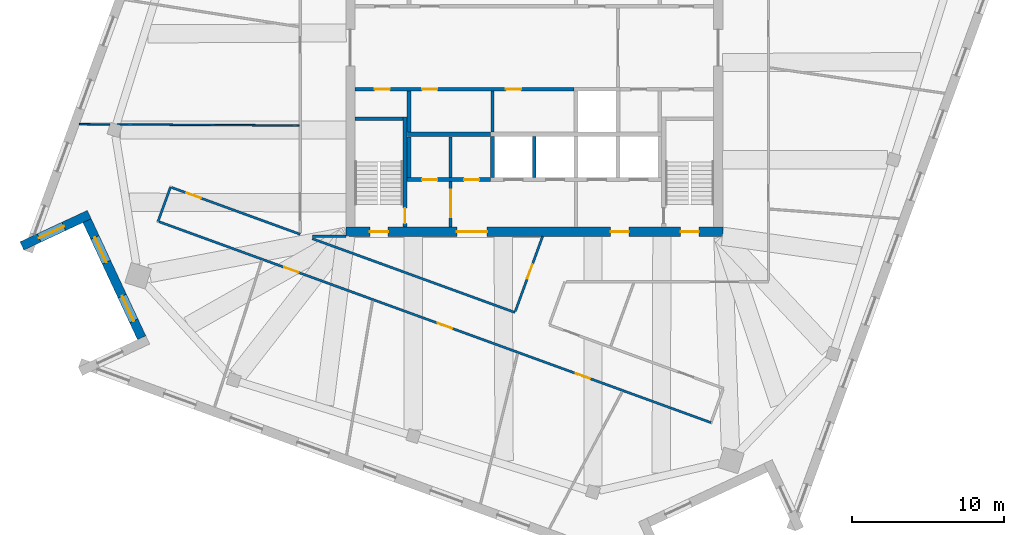
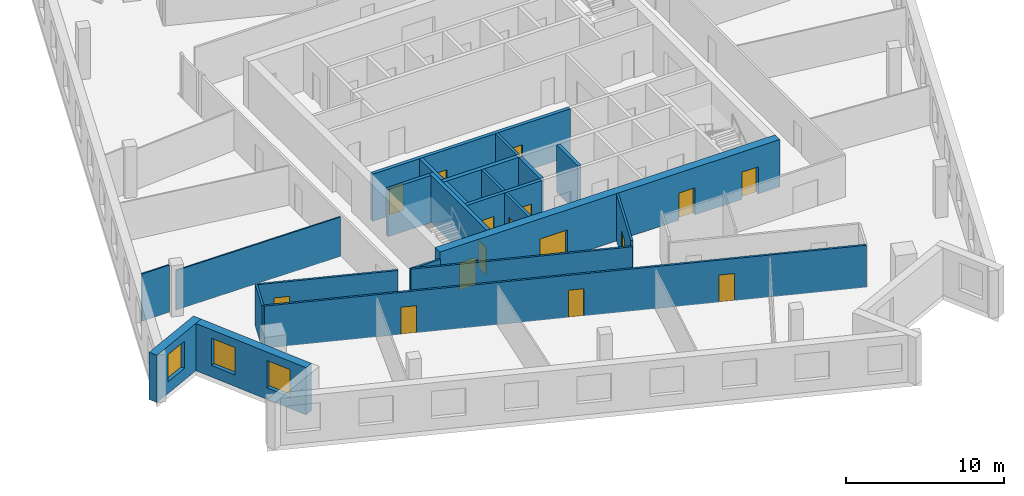
# One storey, part 6 of 13: 23 walls, 16 doors, 3 windows, 19 openings.
"""IFC4 building model written with IfcOpenShell, lengths in metres."""

import ifcopenshell
import ifcopenshell.guid

model = None  # the IFC model being written
_history = None  # IfcOwnerHistory: only IFC2X3 demands one
_inside = {}  # id of a spatial element -> (the spatial element, [elements in it])
_under = {}  # id of a project, library or spatial element -> (it, [spatial elements below it])
_declared = {}  # id of a project -> (the project, [libraries it declares])
_typed = {}  # id of a type object -> (the type object, [elements of that type])
_made_of = {}  # id of a material, layer set ... -> (it, [elements and type objects made of it])


def new_model(schema):
    """Start an empty IFC model of exactly this schema.

    Asked for "IFC4X3", IfcOpenShell would pick the latest addendum, in which some entities
    have other attributes; the version numbers below select the first issue.
    IFC2X3 requires an IfcOwnerHistory on every rooted entity: one is made here for all.
    """
    global model, _history
    if schema == "IFC4X3":
        model = ifcopenshell.file(schema_version=(4, 3, 0, 0))
    else:
        model = ifcopenshell.file(schema=schema)
    _inside.clear()
    _under.clear()
    _declared.clear()
    _typed.clear()
    _made_of.clear()
    _history = None
    if model.schema == "IFC2X3":
        org = make("IfcOrganization", Name="unknown")
        user = make(
            "IfcPersonAndOrganization",
            ThePerson=make("IfcPerson", FamilyName="unknown"),
            TheOrganization=org,
        )
        app = make(
            "IfcApplication",
            ApplicationDeveloper=org,
            Version="unknown",
            ApplicationFullName="unknown",
            ApplicationIdentifier="unknown",
        )
        _history = make(
            "IfcOwnerHistory",
            OwningUser=user,
            OwningApplication=app,
            ChangeAction="ADDED",
            CreationDate=0,
        )
    return model


def make(cls, **values):
    """One entity of the class cls with the attributes given. An attribute that is None is left unset."""
    return model.create_entity(
        cls, **{name: value for name, value in values.items() if value is not None}
    )


def rooted(cls, **values):
    """An entity with a GlobalId (a new one), such as an element, a storey or a relation."""
    return make(cls, GlobalId=ifcopenshell.guid.new(), OwnerHistory=_history, **values)


def si_unit(unit_type, name, prefix=None):
    """IfcSIUnit, for example si_unit("LENGTHUNIT", "METRE", prefix="MILLI")."""
    return make("IfcSIUnit", UnitType=unit_type, Prefix=prefix, Name=name)


def assignment(units):
    """IfcUnitAssignment: the units of a project."""
    return None if units is None else make("IfcUnitAssignment", Units=units)


def point(xyz):
    """IfcCartesianPoint."""
    return None if xyz is None else make("IfcCartesianPoint", Coordinates=xyz)


def direction(xyz):
    """IfcDirection."""
    return None if xyz is None else make("IfcDirection", DirectionRatios=xyz)


def frame(location, z_axis=None, x_axis=None):
    """IfcAxis2Placement3D, a coordinate frame: its origin and axes. An axis left out is left unset."""
    return make(
        "IfcAxis2Placement3D",
        Location=point(location),
        Axis=direction(z_axis),
        RefDirection=direction(x_axis),
    )


def frame_2d(location, x_axis=None):
    """IfcAxis2Placement2D, a coordinate frame in the plane: its origin and x axis."""
    return make(
        "IfcAxis2Placement2D", Location=point(location), RefDirection=direction(x_axis)
    )


def origin():
    """The frame at (0, 0, 0) with its axes left unset."""
    return frame((0.0, 0.0, 0.0))


def place(relative_to, where):
    """IfcLocalPlacement: puts the frame where relative to a parent placement (None: the world)."""
    return make(
        "IfcLocalPlacement", PlacementRelTo=relative_to, RelativePlacement=where
    )


def context(
    kind, dimensions, precision=None, world=None, true_north=None, identifier=None
):
    """IfcGeometricRepresentationContext, for example the 3D "Model" context."""
    return make(
        "IfcGeometricRepresentationContext",
        ContextIdentifier=identifier,
        ContextType=kind,
        CoordinateSpaceDimension=dimensions,
        Precision=precision,
        WorldCoordinateSystem=world,
        TrueNorth=true_north,
    )


def subcontext(parent, identifier, kind, view, scale=None):
    """IfcGeometricRepresentationSubContext, for example "Body" below "Model"."""
    return make(
        "IfcGeometricRepresentationSubContext",
        ContextIdentifier=identifier,
        ContextType=kind,
        ParentContext=parent,
        TargetScale=scale,
        TargetView=view,
    )


def project(units=None, contexts=None):
    """IfcProject with its units and contexts."""
    return rooted(
        "IfcProject",
        Name="project",
        RepresentationContexts=contexts,
        UnitsInContext=assignment(units),
    )


def spatial(cls, under=None, at=None, **own):
    """A site, building, storey or space (cls), placed at a placement, below another one or the project."""
    s = rooted(cls, ObjectPlacement=at, **own)
    if under is not None:
        _under.setdefault(under.id(), (under, []))[1].append(s)
    return s


def profile(cls, at=None, kind="AREA", **sizes):
    """A parametric profile (cls). Its sizes go by their IFC names, for example OverallWidth=200.0."""
    return make(cls, ProfileType=kind, Position=at, **sizes)


def rectangle(**sizes):
    """IfcRectangleProfileDef."""
    return profile("IfcRectangleProfileDef", **sizes)


def extrude(swept, where, along, depth):
    """IfcExtrudedAreaSolid: the profile swept, set in the frame where, extruded along a direction by depth."""
    return make(
        "IfcExtrudedAreaSolid",
        SweptArea=swept,
        Position=where,
        ExtrudedDirection=direction(along),
        Depth=depth,
    )


def shape(context_of_items, identifier, shape_type, items):
    """IfcShapeRepresentation: the items that make up one representation, for example the "Body"."""
    return make(
        "IfcShapeRepresentation",
        ContextOfItems=context_of_items,
        RepresentationIdentifier=identifier,
        RepresentationType=shape_type,
        Items=items,
    )


def material(Name=None, Category=None):
    """IfcMaterial."""
    return make("IfcMaterial", Name=Name, Category=Category)


def layer(
    of_material, thickness, ventilated=None, Name=None, Category=None, Priority=None
):
    """IfcMaterialLayer: one layer of a wall or slab, of a material (None: an air gap)."""
    return make(
        "IfcMaterialLayer",
        Material=of_material,
        LayerThickness=thickness,
        IsVentilated=ventilated,
        Name=Name,
        Category=Category,
        Priority=Priority,
    )


def layer_set(layers, Name=None):
    """IfcMaterialLayerSet."""
    return make("IfcMaterialLayerSet", MaterialLayers=layers, LayerSetName=Name)


def made_of(thing, what):
    """Note that an element or type object is made of a material, layer set ...; save() writes the relation."""
    if what is not None:
        _made_of.setdefault(what.id(), (what, []))[1].append(thing)
    return thing


def type_object(cls, material=None, **own):
    """A type object (cls), such as IfcWallType, which elements share."""
    return made_of(rooted(cls, **own), material)


def element(
    cls,
    number,
    at=None,
    inside=None,
    cuts=None,
    type_object=None,
    material=None,
    context=None,
    identifier="Body",
    shape_type=None,
    held_by="IfcProductDefinitionShape",
    body=None,
    shapes=None,
    **own,
):
    """One element of the class cls, such as IfcWall. Its Tag is "e" and its number.

    at: its placement. inside: the storey or other place that contains it. cuts: it is an
    opening in that element (IfcRelVoidsElement). A single representation is given by context,
    identifier, shape_type and body (its items); several are given by shapes. held_by: the class
    of the entity that holds the representations. save() writes the other relations.
    """
    e = rooted(cls, Tag="e%d" % number, ObjectPlacement=at, **own)
    if body is not None:
        shapes = [shape(context, identifier, shape_type, body)]
    if shapes is not None:
        e.Representation = make(held_by, Representations=shapes)
    if inside is not None:
        _inside.setdefault(inside.id(), (inside, []))[1].append(e)
    if cuts is not None:
        rooted(
            "IfcRelVoidsElement", RelatingBuildingElement=cuts, RelatedOpeningElement=e
        )
    if type_object is not None:
        _typed.setdefault(type_object.id(), (type_object, []))[1].append(e)
    return made_of(e, material)


def fill(opening, filler):
    """IfcRelFillsElement: the door or window that sits in an opening."""
    return rooted(
        "IfcRelFillsElement",
        RelatingOpeningElement=opening,
        RelatedBuildingElement=filler,
    )


def aggregate(whole, parts):
    """IfcRelAggregates: a whole, such as a stair, and the parts it consists of."""
    return rooted("IfcRelAggregates", RelatingObject=whole, RelatedObjects=parts)


def save(model, path):
    """Write the relations noted so far, then the file.

    IfcRelAggregates (storeys below a building ...), IfcRelContainedInSpatialStructure (elements
    in a storey), IfcRelDefinesByType, IfcRelAssociatesMaterial and IfcRelDeclares: one each for
    every whole, place, type object, material and project.
    """
    for whole, parts in _under.values():
        aggregate(whole, parts)
    for where, things in _inside.values():
        rooted(
            "IfcRelContainedInSpatialStructure",
            RelatedElements=things,
            RelatingStructure=where,
        )
    for kind, things in _typed.values():
        rooted("IfcRelDefinesByType", RelatedObjects=things, RelatingType=kind)
    for what, things in _made_of.values():
        rooted("IfcRelAssociatesMaterial", RelatedObjects=things, RelatingMaterial=what)
    for by, libraries in _declared.values():
        rooted("IfcRelDeclares", RelatingContext=by, RelatedDefinitions=libraries)
    model.write(path)


model = new_model("IFC4")

# Units and contexts
model_context = context("Model", 3, precision=1e-05, world=origin(), true_north=direction((0.0, 1.0)))
body_context = subcontext(model_context, "Body", "Model", "MODEL_VIEW")
ifc_project = project(units=[si_unit("LENGTHUNIT", "METRE"), si_unit("AREAUNIT", "SQUARE_METRE"), si_unit("VOLUMEUNIT", "CUBIC_METRE"), si_unit("PLANEANGLEUNIT", "RADIAN"), si_unit("MASSUNIT", "GRAM", prefix="KILO")], contexts=[model_context])

# Site, building, storey
site_placement = place(None, origin())
site = spatial("IfcSite", under=ifc_project, at=site_placement, CompositionType="ELEMENT")
building_placement = place(site_placement, origin())
building = spatial("IfcBuilding", under=site, at=building_placement, Name="Dilmun Exchange Tower", CompositionType="ELEMENT")
storey_placement = place(building_placement, frame((0.0, 0.0, 308.5)))
storey = spatial("IfcBuildingStorey", under=building, at=storey_placement, Name="L73", CompositionType="ELEMENT", Elevation=308.5)

# Wall, opening, door
ifc_material_1 = material(Name="Concrete C40/50", Category="concrete")
ifc_layer_1 = layer(ifc_material_1, 0.199951171875)
ifc_layer_set_1 = layer_set([ifc_layer_1], Name="Concrete C40/50")
wall_type_1 = type_object("IfcWallType", Name="Core partition wall 200", PredefinedType="PARTITIONING", material=ifc_layer_set_1)
wall_1_placement = place(storey_placement, frame((-5.5, -11.794921875, 0.0), z_axis=(0.0, 0.0, 1.0), x_axis=(0.0, 1.0, 0.0)))
wall_1 = element("IfcWall", 1, at=wall_1_placement, inside=storey, type_object=wall_type_1, Name="L73 core partition wall 01", PredefinedType="PARTITIONING", context=body_context, shape_type="SweptSolid", body=[
    extrude(rectangle(XDim=2.989990234375, YDim=0.199951171875, at=frame_2d((1.4951171875, 0.0))), origin(), (0.0, 0.0, 1.0), 3.64990234375),
])
opening_1_placement = place(wall_1_placement, frame((0.657470703125, 0.0, 0.0)))
opening_1 = element("IfcOpeningElement", 2, at=opening_1_placement, cuts=wall_1, Name="Opening CD5", PredefinedType="OPENING", context=body_context, shape_type="SweptSolid", body=[
    extrude(rectangle(XDim=1.800048828125, YDim=2.10009765625, at=frame_2d((0.89990234375, 1.050048828125))), frame((0.0, 0.10986328125, 0.0), z_axis=(0.0, -1.0, 0.0), x_axis=(1.0, 0.0, 0.0)), (0.0, 0.0, 1.0), 0.219970703125),
])
ifc_material_2 = material(Name="Fire-rated steel door set", Category="steel")
door_type_1 = type_object("IfcDoorType", Name="Stair exit door 1800x2100", OperationType="SINGLE_SWING_LEFT", PredefinedType="DOOR", material=ifc_material_2)
door_1_placement = place(opening_1_placement, origin())
door_1 = element("IfcDoor", 3, at=door_1_placement, inside=storey, type_object=door_type_1, Name="L73 door Service lobby east", OperationType="SINGLE_SWING_LEFT", OverallHeight=2.10009765625, OverallWidth=1.800048828125, PredefinedType="DOOR", context=body_context, shape_type="SweptSolid", body=[
    extrude(rectangle(XDim=1.800048828125, YDim=2.10009765625, at=frame_2d((0.89990234375, 1.050048828125))), frame((0.0, 0.02490234375, 0.0), z_axis=(0.0, -1.0, 0.0), x_axis=(1.0, 0.0, 0.0)), (0.0, 0.0, 1.0), 0.050048828125),
])
fill(opening_1, door_1)

# Walls
for number, where, z_axis, x_axis, name in (
    (4, (-5.5, -8.544921875, 0.0), (0.0, 0.0, 1.0), (0.0, 1.0, 0.0), "L73 core partition wall 05"),
    (5, (-2.75, -5.544921875, 0.0), (0.0, 0.0, 1.0), (0.0, 1.0, 0.0), "L73 core partition wall 08"),
):
    element("IfcWall", number, at=place(storey_placement, frame(where, z_axis=z_axis, x_axis=x_axis)), inside=storey, type_object=wall_type_1, Name=name, PredefinedType="PARTITIONING", context=body_context, shape_type="SweptSolid", body=[
        extrude(rectangle(XDim=2.68994140625, YDim=0.199951171875, at=frame_2d((1.344970703125, 0.0))), origin(), (0.0, 0.0, 1.0), 3.64990234375),
    ])

# Wall, openings, doors
ifc_layer_2 = layer(ifc_material_1, 0.25)
ifc_layer_set_2 = layer_set([ifc_layer_2], Name="Concrete C40/50")
wall_type_2 = type_object("IfcWallType", Name="Core partition wall 250", PredefinedType="PARTITIONING", material=ifc_layer_set_2)
wall_2_placement = place(storey_placement, frame((-8.3701171875, -8.675048828125, 0.0), z_axis=(0.0, 0.0, 1.0), x_axis=(1.0, 0.0, 0.0)))
wall_2 = element("IfcWall", 6, at=wall_2_placement, inside=storey, type_object=wall_type_2, Name="L73 core partition wall 03", PredefinedType="PARTITIONING", context=body_context, shape_type="SweptSolid", body=[
    extrude(rectangle(XDim=5.490234375, YDim=0.25, at=frame_2d((2.7451171875, 0.0))), origin(), (0.0, 0.0, 1.0), 3.64990234375),
])
opening_2_placement = place(wall_2_placement, frame((0.9951171875, 0.0, 0.0)))
opening_2 = element("IfcOpeningElement", 7, at=opening_2_placement, cuts=wall_2, Name="Opening CD4", PredefinedType="OPENING", context=body_context, shape_type="SweptSolid", body=[
    extrude(rectangle(XDim=1.0, YDim=2.10009765625, at=frame_2d((0.5, 1.050048828125))), frame((0.0, 0.135009765625, 0.0), z_axis=(0.0, -1.0, 0.0), x_axis=(1.0, 0.0, 0.0)), (0.0, 0.0, 1.0), 0.27001953125),
])
opening_3_placement = place(wall_2_placement, frame((3.7451171875, 0.0, 0.0)))
opening_3 = element("IfcOpeningElement", 8, at=opening_3_placement, cuts=wall_2, Name="Opening CD4", PredefinedType="OPENING", context=body_context, shape_type="SweptSolid", body=[
    extrude(rectangle(XDim=1.0, YDim=2.10009765625, at=frame_2d((0.5, 1.050048828125))), frame((0.0, 0.135009765625, 0.0), z_axis=(0.0, -1.0, 0.0), x_axis=(1.0, 0.0, 0.0)), (0.0, 0.0, 1.0), 0.27001953125),
])
door_type_2 = type_object("IfcDoorType", Name="Core room door 1000x2100", OperationType="SINGLE_SWING_LEFT", PredefinedType="DOOR", material=ifc_material_2)
door_2_placement = place(opening_2_placement, origin())
door_2 = element("IfcDoor", 9, at=door_2_placement, inside=storey, type_object=door_type_2, Name="L73 door Male WC", OperationType="SINGLE_SWING_RIGHT", OverallHeight=2.10009765625, OverallWidth=1.0, PredefinedType="DOOR", context=body_context, shape_type="SweptSolid", body=[
    extrude(rectangle(XDim=1.0, YDim=2.10009765625, at=frame_2d((0.5, 1.050048828125))), frame((0.0, 0.02490234375, 0.0), z_axis=(0.0, -1.0, 0.0), x_axis=(1.0, 0.0, 0.0)), (0.0, 0.0, 1.0), 0.050048828125),
])
fill(opening_2, door_2)
door_3_placement = place(opening_3_placement, origin())
door_3 = element("IfcDoor", 10, at=door_3_placement, inside=storey, type_object=door_type_2, Name="L73 door Female WC", OperationType="SINGLE_SWING_RIGHT", OverallHeight=2.10009765625, OverallWidth=1.0, PredefinedType="DOOR", context=body_context, shape_type="SweptSolid", body=[
    extrude(rectangle(XDim=1.0, YDim=2.10009765625, at=frame_2d((0.5, 1.050048828125))), frame((0.0, 0.02490234375, 0.0), z_axis=(0.0, -1.0, 0.0), x_axis=(1.0, 0.0, 0.0)), (0.0, 0.0, 1.0), 0.050048828125),
])
fill(opening_3, door_3)

# Walls
for number, where, z_axis, x_axis, name in (
    (11, (-8.25, -8.544921875, 0.0), (0.0, 0.0, 1.0), (0.0, 1.0, 0.0), "L73 core partition wall 04"),
    (12, (-8.25, -5.544921875, 0.0), (0.0, 0.0, 1.0), (0.0, 1.0, 0.0), "L73 core partition wall 07"),
):
    element("IfcWall", number, at=place(storey_placement, frame(where, z_axis=z_axis, x_axis=x_axis)), inside=storey, type_object=wall_type_2, Name=name, PredefinedType="PARTITIONING", context=body_context, shape_type="SweptSolid", body=[
        extrude(rectangle(XDim=2.68994140625, YDim=0.25, at=frame_2d((1.344970703125, 0.0))), origin(), (0.0, 0.0, 1.0), 3.64990234375),
    ])

# Wall, openings, doors
wall_3_placement = place(storey_placement, frame((-11.794921875, -2.72509765625, 0.0), z_axis=(0.0, 0.0, 1.0), x_axis=(1.0, 0.0, 0.0)))
wall_3 = element("IfcWall", 13, at=wall_3_placement, inside=storey, type_object=wall_type_2, Name="L73 core partition wall 10", PredefinedType="PARTITIONING", context=body_context, shape_type="SweptSolid", body=[
    extrude(rectangle(XDim=14.4150390625, YDim=0.25, at=frame_2d((7.20751953125, 0.0))), origin(), (0.0, 0.0, 1.0), 3.64990234375),
])
opening_4_placement = place(wall_3_placement, frame((1.294921875, 0.0, 0.0)))
opening_4 = element("IfcOpeningElement", 14, at=opening_4_placement, cuts=wall_3, Name="Opening CD4", PredefinedType="OPENING", context=body_context, shape_type="SweptSolid", body=[
    extrude(rectangle(XDim=1.0, YDim=2.10009765625, at=frame_2d((0.5, 1.050048828125))), frame((0.0, 0.135009765625, 0.0), z_axis=(0.0, -1.0, 0.0), x_axis=(1.0, 0.0, 0.0)), (0.0, 0.0, 1.0), 0.27001953125),
])
opening_5_placement = place(wall_3_placement, frame((4.419921875, 0.0, 0.0)))
opening_5 = element("IfcOpeningElement", 15, at=opening_5_placement, cuts=wall_3, Name="Opening CD4", PredefinedType="OPENING", context=body_context, shape_type="SweptSolid", body=[
    extrude(rectangle(XDim=1.0, YDim=2.10009765625, at=frame_2d((0.5, 1.050048828125))), frame((0.0, 0.135009765625, 0.0), z_axis=(0.0, -1.0, 0.0), x_axis=(1.0, 0.0, 0.0)), (0.0, 0.0, 1.0), 0.27001953125),
])
opening_6_placement = place(wall_3_placement, frame((9.919921875, 0.0, 0.0)))
opening_6 = element("IfcOpeningElement", 16, at=opening_6_placement, cuts=wall_3, Name="Opening CD4", PredefinedType="OPENING", context=body_context, shape_type="SweptSolid", body=[
    extrude(rectangle(XDim=1.0, YDim=2.10009765625, at=frame_2d((0.5, 1.050048828125))), frame((0.0, 0.135009765625, 0.0), z_axis=(0.0, -1.0, 0.0), x_axis=(1.0, 0.0, 0.0)), (0.0, 0.0, 1.0), 0.27001953125),
])
door_4_placement = place(opening_4_placement, origin())
door_4 = element("IfcDoor", 17, at=door_4_placement, inside=storey, type_object=door_type_2, Name="L73 door Accessible WC", OperationType="SINGLE_SWING_RIGHT", OverallHeight=2.10009765625, OverallWidth=1.0, PredefinedType="DOOR", context=body_context, shape_type="SweptSolid", body=[
    extrude(rectangle(XDim=1.0, YDim=2.10009765625, at=frame_2d((0.5, 1.050048828125))), frame((0.0, 0.02490234375, 0.0), z_axis=(0.0, -1.0, 0.0), x_axis=(1.0, 0.0, 0.0)), (0.0, 0.0, 1.0), 0.050048828125),
])
fill(opening_4, door_4)
door_5_placement = place(opening_5_placement, origin())
door_5 = element("IfcDoor", 18, at=door_5_placement, inside=storey, type_object=door_type_2, Name="L73 door Tenant services room", OperationType="SINGLE_SWING_RIGHT", OverallHeight=2.10009765625, OverallWidth=1.0, PredefinedType="DOOR", context=body_context, shape_type="SweptSolid", body=[
    extrude(rectangle(XDim=1.0, YDim=2.10009765625, at=frame_2d((0.5, 1.050048828125))), frame((0.0, 0.02490234375, 0.0), z_axis=(0.0, -1.0, 0.0), x_axis=(1.0, 0.0, 0.0)), (0.0, 0.0, 1.0), 0.050048828125),
])
fill(opening_5, door_5)
door_6_placement = place(opening_6_placement, origin())
door_6 = element("IfcDoor", 19, at=door_6_placement, inside=storey, type_object=door_type_2, Name="L73 door Archive store", OperationType="SINGLE_SWING_RIGHT", OverallHeight=2.10009765625, OverallWidth=1.0, PredefinedType="DOOR", context=body_context, shape_type="SweptSolid", body=[
    extrude(rectangle(XDim=1.0, YDim=2.10009765625, at=frame_2d((0.5, 1.050048828125))), frame((0.0, 0.02490234375, 0.0), z_axis=(0.0, -1.0, 0.0), x_axis=(1.0, 0.0, 0.0)), (0.0, 0.0, 1.0), 0.050048828125),
])
fill(opening_6, door_6)

# Wall
ifc_layer_3 = layer(ifc_material_1, 0.300048828125)
ifc_layer_set_3 = layer_set([ifc_layer_3], Name="Concrete C40/50")
wall_type_3 = type_object("IfcWallType", Name="Core partition wall 300", PredefinedType="PARTITIONING", material=ifc_layer_set_3)
wall_4_placement = place(storey_placement, frame((-8.35009765625, -5.699951171875, 0.0), z_axis=(0.0, 0.0, 1.0), x_axis=(1.0, 0.0, 0.0)))
element("IfcWall", 20, at=wall_4_placement, inside=storey, type_object=wall_type_3, Name="L73 core partition wall 06", PredefinedType="PARTITIONING", context=body_context, shape_type="SweptSolid", body=[
    extrude(rectangle(XDim=5.47021484375, YDim=0.300048828125, at=frame_2d((2.735107421875, 0.0))), origin(), (0.0, 0.0, 1.0), 3.64990234375),
])

# Wall, openings, doors
ifc_material_3 = material(Name="Concrete C50/60", Category="concrete")
ifc_layer_4 = layer(ifc_material_3, 0.60009765625)
ifc_layer_set_4 = layer_set([ifc_layer_4], Name="Concrete C50/60")
wall_type_4 = type_object("IfcWallType", Name="Core shear wall 600 Concrete C50/60", PredefinedType="SHEAR", material=ifc_layer_set_4)
wall_5_placement = place(storey_placement, frame((-12.39990234375, -12.10009765625, 0.0), z_axis=(0.0, 0.0, 1.0), x_axis=(1.0, 0.0, 0.0)))
wall_5 = element("IfcWall", 21, at=wall_5_placement, inside=storey, type_object=wall_type_4, Name="L73 core shear wall S", PredefinedType="SHEAR", context=body_context, shape_type="SweptSolid", body=[
    extrude(rectangle(XDim=24.7998046875, YDim=0.60009765625, at=frame_2d((12.39990234375, 0.0))), origin(), (0.0, 0.0, 1.0), 3.64990234375),
])
opening_7_placement = place(wall_5_placement, frame((7.300048828125, 0.0, 0.0)))
opening_7 = element("IfcOpeningElement", 22, at=opening_7_placement, cuts=wall_5, Name="Opening CD2", PredefinedType="OPENING", context=body_context, shape_type="SweptSolid", body=[
    extrude(rectangle(XDim=2.0, YDim=2.10009765625, at=frame_2d((1.0, 1.050048828125))), frame((0.0, 0.31005859375, 0.0), z_axis=(0.0, -1.0, 0.0), x_axis=(1.0, 0.0, 0.0)), (0.0, 0.0, 1.0), 0.6201171875),
])
opening_8_placement = place(wall_5_placement, frame((17.425048828125, 0.0, 0.0)))
opening_8 = element("IfcOpeningElement", 23, at=opening_8_placement, cuts=wall_5, Name="Opening CD3", PredefinedType="OPENING", context=body_context, shape_type="SweptSolid", body=[
    extrude(rectangle(XDim=1.199951171875, YDim=2.10009765625, at=frame_2d((0.60009765625, 1.050048828125))), frame((0.0, 0.31005859375, 0.0), z_axis=(0.0, -1.0, 0.0), x_axis=(1.0, 0.0, 0.0)), (0.0, 0.0, 1.0), 0.6201171875),
])
opening_9_placement = place(wall_5_placement, frame((1.574951171875, 0.0, 0.0)))
opening_9 = element("IfcOpeningElement", 24, at=opening_9_placement, cuts=wall_5, Name="Opening CD3", PredefinedType="OPENING", context=body_context, shape_type="SweptSolid", body=[
    extrude(rectangle(XDim=1.199951171875, YDim=2.10009765625, at=frame_2d((0.60009765625, 1.050048828125))), frame((0.0, 0.31005859375, 0.0), z_axis=(0.0, -1.0, 0.0), x_axis=(1.0, 0.0, 0.0)), (0.0, 0.0, 1.0), 0.6201171875),
])
opening_10_placement = place(wall_5_placement, frame((22.02490234375, 0.0, 0.0)))
opening_10 = element("IfcOpeningElement", 25, at=opening_10_placement, cuts=wall_5, Name="Opening CD3", PredefinedType="OPENING", context=body_context, shape_type="SweptSolid", body=[
    extrude(rectangle(XDim=1.199951171875, YDim=2.10009765625, at=frame_2d((0.60009765625, 1.050048828125))), frame((0.0, 0.31005859375, 0.0), z_axis=(0.0, -1.0, 0.0), x_axis=(1.0, 0.0, 0.0)), (0.0, 0.0, 1.0), 0.6201171875),
])
door_type_3 = type_object("IfcDoorType", Name="Core service door 2000x2100", OperationType="DOUBLE_DOOR_DOUBLE_SWING", PredefinedType="DOOR", material=ifc_material_2)
door_7_placement = place(opening_7_placement, origin())
door_7 = element("IfcDoor", 26, at=door_7_placement, inside=storey, type_object=door_type_3, Name="L73 door South service lobby", OperationType="SINGLE_SWING_LEFT", OverallHeight=2.10009765625, OverallWidth=2.0, PredefinedType="DOOR", context=body_context, shape_type="SweptSolid", body=[
    extrude(rectangle(XDim=2.0, YDim=2.10009765625, at=frame_2d((1.0, 1.050048828125))), frame((0.0, 0.02490234375, 0.0), z_axis=(0.0, -1.0, 0.0), x_axis=(1.0, 0.0, 0.0)), (0.0, 0.0, 1.0), 0.050048828125),
])
fill(opening_7, door_7)
door_type_4 = type_object("IfcDoorType", Name="Stair exit door 1200x2100", OperationType="SINGLE_SWING_LEFT", PredefinedType="DOOR", material=ifc_material_2)
door_8_placement = place(opening_8_placement, origin())
door_8 = element("IfcDoor", 27, at=door_8_placement, inside=storey, type_object=door_type_4, Name="L73 door Fire-fighting lobby", OperationType="SINGLE_SWING_LEFT", OverallHeight=2.10009765625, OverallWidth=1.199951171875, PredefinedType="DOOR", context=body_context, shape_type="SweptSolid", body=[
    extrude(rectangle(XDim=1.199951171875, YDim=2.10009765625, at=frame_2d((0.60009765625, 1.050048828125))), frame((0.0, 0.02490234375, 0.0), z_axis=(0.0, -1.0, 0.0), x_axis=(1.0, 0.0, 0.0)), (0.0, 0.0, 1.0), 0.050048828125),
])
fill(opening_8, door_8)
door_9_placement = place(opening_9_placement, origin())
door_9 = element("IfcDoor", 28, at=door_9_placement, inside=storey, type_object=door_type_4, Name="L73 door Stair ST2", OperationType="SINGLE_SWING_LEFT", OverallHeight=2.10009765625, OverallWidth=1.199951171875, PredefinedType="DOOR", context=body_context, shape_type="SweptSolid", body=[
    extrude(rectangle(XDim=1.199951171875, YDim=2.10009765625, at=frame_2d((0.60009765625, 1.050048828125))), frame((0.0, 0.02490234375, 0.0), z_axis=(0.0, -1.0, 0.0), x_axis=(1.0, 0.0, 0.0)), (0.0, 0.0, 1.0), 0.050048828125),
])
fill(opening_9, door_9)
door_10_placement = place(opening_10_placement, origin())
door_10 = element("IfcDoor", 29, at=door_10_placement, inside=storey, type_object=door_type_4, Name="L73 door Stair ST3", OperationType="SINGLE_SWING_LEFT", OverallHeight=2.10009765625, OverallWidth=1.199951171875, PredefinedType="DOOR", context=body_context, shape_type="SweptSolid", body=[
    extrude(rectangle(XDim=1.199951171875, YDim=2.10009765625, at=frame_2d((0.60009765625, 1.050048828125))), frame((0.0, 0.02490234375, 0.0), z_axis=(0.0, -1.0, 0.0), x_axis=(1.0, 0.0, 0.0)), (0.0, 0.0, 1.0), 0.050048828125),
])
fill(opening_10, door_10)

# Wall
ifc_material_4 = material(Name="Corridor wall 150")
ifc_layer_5 = layer(ifc_material_4, 0.14990234375)
ifc_layer_set_5 = layer_set([ifc_layer_5], Name="Corridor wall 150")
wall_type_5 = type_object("IfcWallType", Name="Corridor wall 150", PredefinedType="PARTITIONING", material=ifc_layer_set_5)
wall_6_placement = place(storey_placement, frame((-24.75, -11.4189453125, 0.0), z_axis=(0.0, 0.0, 1.0), x_axis=(0.342143298706, 0.939647786753, 0.0)))
element("IfcWall", 30, at=wall_6_placement, inside=storey, type_object=wall_type_5, Name="Corridor wall", PredefinedType="PARTITIONING", context=body_context, shape_type="SweptSolid", body=[
    extrude(rectangle(XDim=2.399658203125, YDim=0.14990234375, at=frame_2d((1.19970703125, 0.0))), origin(), (0.0, 0.0, 1.0), 3.25),
])

# Wall, openings, doors
wall_7_placement = place(storey_placement, frame((-24.679443359375, -11.444580078125, 0.0), z_axis=(0.0, 0.0, 1.0), x_axis=(0.939685239834, -0.342040421645, 0.0)))
wall_7 = element("IfcWall", 31, at=wall_7_placement, inside=storey, type_object=wall_type_5, Name="Corridor wall", PredefinedType="PARTITIONING", context=body_context, shape_type="SweptSolid", body=[
    extrude(rectangle(XDim=38.628173828125, YDim=0.14990234375, at=frame_2d((19.31396484375, 0.0))), origin(), (0.0, 0.0, 1.0), 3.25),
])
opening_11_placement = place(wall_7_placement, frame((8.764404296875, 0.0, 0.0)))
opening_11 = element("IfcOpeningElement", 32, at=opening_11_placement, cuts=wall_7, Name="Opening TF72-D05", PredefinedType="OPENING", context=body_context, shape_type="SweptSolid", body=[
    extrude(rectangle(XDim=1.0, YDim=2.10009765625, at=frame_2d((0.5, 1.050048828125))), frame((0.0, 0.0849609375, 0.0), z_axis=(0.0, -1.0, 0.0), x_axis=(1.0, 0.0, 0.0)), (0.0, 0.0, 1.0), 0.169921875),
])
opening_12_placement = place(wall_7_placement, frame((19.5029296875, 0.0, 0.0)))
opening_12 = element("IfcOpeningElement", 33, at=opening_12_placement, cuts=wall_7, Name="Opening TF72-D08", PredefinedType="OPENING", context=body_context, shape_type="SweptSolid", body=[
    extrude(rectangle(XDim=1.0, YDim=2.10009765625, at=frame_2d((0.5, 1.050048828125))), frame((0.0, 0.0849609375, 0.0), z_axis=(0.0, -1.0, 0.0), x_axis=(1.0, 0.0, 0.0)), (0.0, 0.0, 1.0), 0.169921875),
])
opening_13_placement = place(wall_7_placement, frame((29.162841796875, 0.0, 0.0)))
opening_13 = element("IfcOpeningElement", 34, at=opening_13_placement, cuts=wall_7, Name="Opening TF72-D11", PredefinedType="OPENING", context=body_context, shape_type="SweptSolid", body=[
    extrude(rectangle(XDim=1.0, YDim=2.10009765625, at=frame_2d((0.5, 1.050048828125))), frame((0.0, 0.0849609375, 0.0), z_axis=(0.0, -1.0, 0.0), x_axis=(1.0, 0.0, 0.0)), (0.0, 0.0, 1.0), 0.169921875),
])
ifc_material_5 = material(Name="Fire door 1000 x 2100")
door_type_5 = type_object("IfcDoorType", Name="Fire door 1000 x 2100", OperationType="NOTDEFINED", PredefinedType="DOOR", material=ifc_material_5)
door_11_placement = place(opening_11_placement, frame((1.0, 0.0, 0.0), z_axis=(0.0, 0.0, 1.0), x_axis=(-1.0, 0.0, 0.0)))
door_11 = element("IfcDoor", 35, at=door_11_placement, inside=storey, type_object=door_type_5, Name="Door TF72-D05", OperationType="SINGLE_SWING_LEFT", OverallHeight=2.10009765625, OverallWidth=1.0, PredefinedType="DOOR", context=body_context, shape_type="SweptSolid", body=[
    extrude(rectangle(XDim=1.0, YDim=2.10009765625, at=frame_2d((0.5, 1.050048828125))), frame((0.0, 0.02490234375, 0.0), z_axis=(0.0, -1.0, 0.0), x_axis=(1.0, 0.0, 0.0)), (0.0, 0.0, 1.0), 0.050048828125),
])
fill(opening_11, door_11)
door_12_placement = place(opening_12_placement, frame((1.0, 0.0, 0.0), z_axis=(0.0, 0.0, 1.0), x_axis=(-1.0, 0.0, 0.0)))
door_12 = element("IfcDoor", 36, at=door_12_placement, inside=storey, type_object=door_type_5, Name="Door TF72-D08", OperationType="SINGLE_SWING_LEFT", OverallHeight=2.10009765625, OverallWidth=1.0, PredefinedType="DOOR", context=body_context, shape_type="SweptSolid", body=[
    extrude(rectangle(XDim=1.0, YDim=2.10009765625, at=frame_2d((0.5, 1.050048828125))), frame((0.0, 0.02490234375, 0.0), z_axis=(0.0, -1.0, 0.0), x_axis=(1.0, 0.0, 0.0)), (0.0, 0.0, 1.0), 0.050048828125),
])
fill(opening_12, door_12)
door_13_placement = place(opening_13_placement, frame((1.0, 0.0, 0.0), z_axis=(0.0, 0.0, 1.0), x_axis=(-1.0, 0.0, 0.0)))
door_13 = element("IfcDoor", 37, at=door_13_placement, inside=storey, type_object=door_type_5, Name="Door TF72-D11", OperationType="SINGLE_SWING_RIGHT", OverallHeight=2.10009765625, OverallWidth=1.0, PredefinedType="DOOR", context=body_context, shape_type="SweptSolid", body=[
    extrude(rectangle(XDim=1.0, YDim=2.10009765625, at=frame_2d((0.5, 1.050048828125))), frame((0.0, 0.02490234375, 0.0), z_axis=(0.0, -1.0, 0.0), x_axis=(1.0, 0.0, 0.0)), (0.0, 0.0, 1.0), 0.050048828125),
])
fill(opening_13, door_13)

# Wall, opening, door
wall_8_placement = place(storey_placement, frame((-23.8583984375, -9.189697265625, 0.0), z_axis=(0.0, 0.0, 1.0), x_axis=(0.939702320302, -0.341993492948, 0.0)))
wall_8 = element("IfcWall", 38, at=wall_8_placement, inside=storey, type_object=wall_type_5, Name="Corridor wall", PredefinedType="PARTITIONING", context=body_context, shape_type="SweptSolid", body=[
    extrude(rectangle(XDim=9.001220703125, YDim=0.14990234375, at=frame_2d((4.50048828125, 0.0))), origin(), (0.0, 0.0, 1.0), 3.25),
])
opening_14_placement = place(wall_8_placement, frame((1.050048828125, 0.0, 0.0)))
opening_14 = element("IfcOpeningElement", 39, at=opening_14_placement, cuts=wall_8, Name="Opening TF72-D02", PredefinedType="OPENING", context=body_context, shape_type="SweptSolid", body=[
    extrude(rectangle(XDim=1.0, YDim=2.10009765625, at=frame_2d((0.5, 1.050048828125))), frame((0.0, 0.0849609375, 0.0), z_axis=(0.0, -1.0, 0.0), x_axis=(1.0, 0.0, 0.0)), (0.0, 0.0, 1.0), 0.169921875),
])
door_14_placement = place(opening_14_placement, origin())
door_14 = element("IfcDoor", 40, at=door_14_placement, inside=storey, type_object=door_type_5, Name="Door TF72-D02", OperationType="SINGLE_SWING_LEFT", OverallHeight=2.10009765625, OverallWidth=1.0, PredefinedType="DOOR", context=body_context, shape_type="SweptSolid", body=[
    extrude(rectangle(XDim=1.0, YDim=2.10009765625, at=frame_2d((0.5, 1.050048828125))), frame((0.0, 0.02490234375, 0.0), z_axis=(0.0, -1.0, 0.0), x_axis=(1.0, 0.0, 0.0)), (0.0, 0.0, 1.0), 0.050048828125),
])
fill(opening_14, door_14)

# Walls
wall_9_placement = place(storey_placement, frame((-14.60400390625, -12.55810546875, 0.0), z_axis=(0.0, 0.0, 1.0), x_axis=(0.93968732693, -0.342034687724, 0.0)))
element("IfcWall", 41, at=wall_9_placement, inside=storey, type_object=wall_type_5, Name="Corridor wall", PredefinedType="PARTITIONING", context=body_context, shape_type="SweptSolid", body=[
    extrude(rectangle(XDim=14.182373046875, YDim=0.14990234375, at=frame_2d((7.09130859375, 0.0))), origin(), (0.0, 0.0, 1.0), 3.25),
])
wall_10_placement = place(storey_placement, frame((-14.575927734375, -12.39990234375, 0.0), z_axis=(0.0, 0.0, 1.0), x_axis=(1.0, 0.0, 0.0)))
element("IfcWall", 42, at=wall_10_placement, inside=storey, type_object=wall_type_5, Name="Corridor wall", PredefinedType="PARTITIONING", context=body_context, shape_type="SweptSolid", body=[
    extrude(rectangle(XDim=2.176025390625, YDim=0.14990234375, at=frame_2d((1.087890625, 0.0))), origin(), (0.0, 0.0, 1.0), 3.1298828125),
])

# Wall, opening, door
wall_11_placement = place(storey_placement, frame((-1.251220703125, -17.33837890625, 0.0), z_axis=(0.0, 0.0, 1.0), x_axis=(0.341963126629, 0.939713371207, 0.0)))
wall_11 = element("IfcWall", 43, at=wall_11_placement, inside=storey, type_object=wall_type_5, Name="Corridor wall", PredefinedType="PARTITIONING", context=body_context, shape_type="SweptSolid", body=[
    extrude(rectangle(XDim=5.25537109375, YDim=0.14990234375, at=frame_2d((2.627685546875, 0.0))), origin(), (0.0, 0.0, 1.0), 3.64990234375),
])
opening_15_placement = place(wall_11_placement, frame((2.300048828125, 0.0, 0.0)))
opening_15 = element("IfcOpeningElement", 44, at=opening_15_placement, cuts=wall_11, Name="Opening TF72-D09", PredefinedType="OPENING", context=body_context, shape_type="SweptSolid", body=[
    extrude(rectangle(XDim=1.0, YDim=2.10009765625, at=frame_2d((0.5, 1.050048828125))), frame((0.0, 0.0849609375, 0.0), z_axis=(0.0, -1.0, 0.0), x_axis=(1.0, 0.0, 0.0)), (0.0, 0.0, 1.0), 0.169921875),
])
door_15_placement = place(opening_15_placement, origin())
door_15 = element("IfcDoor", 45, at=door_15_placement, inside=storey, type_object=door_type_5, Name="Door TF72-D09", OperationType="SINGLE_SWING_RIGHT", OverallHeight=2.10009765625, OverallWidth=1.0, PredefinedType="DOOR", context=body_context, shape_type="SweptSolid", body=[
    extrude(rectangle(XDim=1.0, YDim=2.10009765625, at=frame_2d((0.5, 1.050048828125))), frame((0.0, 0.02490234375, 0.0), z_axis=(0.0, -1.0, 0.0), x_axis=(1.0, 0.0, 0.0)), (0.0, 0.0, 1.0), 0.050048828125),
])
fill(opening_15, door_15)

# Walls
ifc_layer_6 = layer(ifc_material_1, 0.25)
ifc_layer_set_6 = layer_set([ifc_layer_6], Name="Concrete C40/50")
wall_type_6 = type_object("IfcWallType", Name="Lift shaft wall 250", PredefinedType="SOLIDWALL", material=ifc_layer_set_6)
for number, where, z_axis, x_axis, name in (
    (46, (-2.75, -8.550048828125, 0.0), (0.0, 0.0, 1.0), (0.0, 1.0, 0.0), "L73 lift shaft divider S22"),
    (47, (0.0, -8.550048828125, 0.0), (0.0, 0.0, 1.0), (0.0, 1.0, 0.0), "L73 lift shaft divider S23"),
):
    element("IfcWall", number, at=place(storey_placement, frame(where, z_axis=z_axis, x_axis=x_axis)), inside=storey, type_object=wall_type_6, Name=name, PredefinedType="SOLIDWALL", context=body_context, shape_type="SweptSolid", body=[
        extrude(rectangle(XDim=2.699951171875, YDim=0.25, at=frame_2d((1.35009765625, 0.0))), origin(), (0.0, 0.0, 1.0), 3.64990234375),
    ])
ifc_material_6 = material(Name="Partition 100")
ifc_layer_7 = layer(ifc_material_6, 0.10009765625)
ifc_layer_set_7 = layer_set([ifc_layer_7], Name="Partition 100")
wall_type_7 = type_object("IfcWallType", Name="Partition 100", PredefinedType="PARTITIONING", material=ifc_layer_set_7)
wall_12_placement = place(storey_placement, frame((-29.922119140625, -5.02783203125, 0.0), z_axis=(0.0, 0.0, 1.0), x_axis=(0.999981545668, -0.006075222027, 0.0)))
element("IfcWall", 48, at=wall_12_placement, inside=storey, type_object=wall_type_7, Name="Partition", PredefinedType="PARTITIONING", context=body_context, shape_type="SweptSolid", body=[
    extrude(rectangle(XDim=2.00927734375, YDim=0.10009765625, at=frame_2d((1.004638671875, 0.0))), origin(), (0.0, 0.0, 1.0), 3.64990234375),
])
wall_13_placement = place(storey_placement, frame((-27.428466796875, -5.04296875, 0.0), z_axis=(0.0, 0.0, 1.0), x_axis=(0.999981601259, -0.006066064861, 0.0)))
element("IfcWall", 49, at=wall_13_placement, inside=storey, type_object=wall_type_7, Name="Partition", PredefinedType="PARTITIONING", context=body_context, shape_type="SweptSolid", body=[
    extrude(rectangle(XDim=11.953369140625, YDim=0.10009765625, at=frame_2d((5.9765625, 0.0))), origin(), (0.0, 0.0, 1.0), 3.050048828125),
])

# Wall, opening, window
ifc_material_7 = material(Name="Precast concrete C50/60", Category="concrete")
ifc_layer_8 = layer(ifc_material_7, 0.60009765625)
ifc_layer_set_8 = layer_set([ifc_layer_8], Name="Precast concrete C50/60")
wall_type_8 = type_object("IfcWallType", Name="Precast stone-clad wall 600", PredefinedType="STANDARD", material=ifc_layer_set_8)
wall_14_placement = place(storey_placement, frame((-33.703369140625, -13.036376953125, 0.0), z_axis=(0.0, 0.0, 1.0), x_axis=(0.906306938878, 0.422620080618, 0.0)))
wall_14 = element("IfcWall", 50, at=wall_14_placement, inside=storey, type_object=wall_type_8, Name="Facade wall L73-04", PredefinedType="STANDARD", context=body_context, shape_type="SweptSolid", body=[
    extrude(rectangle(XDim=4.885498046875, YDim=0.60009765625, at=frame_2d((2.44287109375, 0.0))), origin(), (0.0, 0.0, 1.0), 3.64990234375),
])
opening_16_placement = place(wall_14_placement, frame((1.242919921875, 0.0, 0.89990234375)))
opening_16 = element("IfcOpeningElement", 51, at=opening_16_placement, cuts=wall_14, Name="Opening W180-210", PredefinedType="OPENING", context=body_context, shape_type="SweptSolid", body=[
    extrude(rectangle(XDim=1.800048828125, YDim=2.10009765625, at=frame_2d((0.89990234375, 1.050048828125))), frame((0.0, 0.31005859375, 0.0), z_axis=(0.0, -1.0, 0.0), x_axis=(1.0, 0.0, 0.0)), (0.0, 0.0, 1.0), 0.6201171875),
])
ifc_material_8 = material(Name="Clear low-emissivity glass in aluminium frame", Category="aluminium")
window_type = type_object("IfcWindowType", Name="Punched window 1800 x 2100", PartitioningType="DOUBLE_PANEL_VERTICAL", PredefinedType="WINDOW", material=ifc_material_8)
window_1_placement = place(opening_16_placement, origin())
window_1 = element("IfcWindow", 52, at=window_1_placement, inside=storey, type_object=window_type, Name="Window 5.1", OverallHeight=2.10009765625, OverallWidth=1.800048828125, PartitioningType="SINGLE_PANEL", PredefinedType="WINDOW", context=body_context, shape_type="SweptSolid", body=[
    extrude(rectangle(XDim=1.800048828125, YDim=2.10009765625, at=frame_2d((0.89990234375, 1.050048828125))), frame((0.0, 0.030029296875, 0.0), z_axis=(0.0, -1.0, 0.0), x_axis=(1.0, 0.0, 0.0)), (0.0, 0.0, 1.0), 0.06005859375),
])
fill(opening_16, window_1)

# Wall, openings, windows
wall_15_placement = place(storey_placement, frame((-29.420654296875, -11.370361328125, 0.0), z_axis=(0.0, 0.0, 1.0), x_axis=(0.42259769246, -0.906317378365, 0.0)))
wall_15 = element("IfcWall", 53, at=wall_15_placement, inside=storey, type_object=wall_type_8, Name="Facade wall L73-05", PredefinedType="STANDARD", context=body_context, shape_type="SweptSolid", body=[
    extrude(rectangle(XDim=8.5, YDim=0.60009765625, at=frame_2d((4.25, 0.0))), origin(), (0.0, 0.0, 1.0), 3.64990234375),
])
opening_17_placement = place(wall_15_placement, frame((1.22509765625, 0.0, 0.89990234375)))
opening_17 = element("IfcOpeningElement", 54, at=opening_17_placement, cuts=wall_15, Name="Opening W180-210", PredefinedType="OPENING", context=body_context, shape_type="SweptSolid", body=[
    extrude(rectangle(XDim=1.800048828125, YDim=2.10009765625, at=frame_2d((0.89990234375, 1.050048828125))), frame((0.0, 0.31005859375, 0.0), z_axis=(0.0, -1.0, 0.0), x_axis=(1.0, 0.0, 0.0)), (0.0, 0.0, 1.0), 0.6201171875),
])
opening_18_placement = place(wall_15_placement, frame((5.47509765625, 0.0, 0.89990234375)))
opening_18 = element("IfcOpeningElement", 55, at=opening_18_placement, cuts=wall_15, Name="Opening W180-210", PredefinedType="OPENING", context=body_context, shape_type="SweptSolid", body=[
    extrude(rectangle(XDim=1.800048828125, YDim=2.10009765625, at=frame_2d((0.89990234375, 1.050048828125))), frame((0.0, 0.31005859375, 0.0), z_axis=(0.0, -1.0, 0.0), x_axis=(1.0, 0.0, 0.0)), (0.0, 0.0, 1.0), 0.6201171875),
])
window_2_placement = place(opening_17_placement, origin())
window_2 = element("IfcWindow", 56, at=window_2_placement, inside=storey, type_object=window_type, Name="Window 6.1", OverallHeight=2.10009765625, OverallWidth=1.800048828125, PartitioningType="SINGLE_PANEL", PredefinedType="WINDOW", context=body_context, shape_type="SweptSolid", body=[
    extrude(rectangle(XDim=1.800048828125, YDim=2.10009765625, at=frame_2d((0.89990234375, 1.050048828125))), frame((0.0, 0.030029296875, 0.0), z_axis=(0.0, -1.0, 0.0), x_axis=(1.0, 0.0, 0.0)), (0.0, 0.0, 1.0), 0.06005859375),
])
fill(opening_17, window_2)
window_3_placement = place(opening_18_placement, origin())
window_3 = element("IfcWindow", 57, at=window_3_placement, inside=storey, type_object=window_type, Name="Window 6.2", OverallHeight=2.10009765625, OverallWidth=1.800048828125, PartitioningType="SINGLE_PANEL", PredefinedType="WINDOW", context=body_context, shape_type="SweptSolid", body=[
    extrude(rectangle(XDim=1.800048828125, YDim=2.10009765625, at=frame_2d((0.89990234375, 1.050048828125))), frame((0.0, 0.030029296875, 0.0), z_axis=(0.0, -1.0, 0.0), x_axis=(1.0, 0.0, 0.0)), (0.0, 0.0, 1.0), 0.06005859375),
])
fill(opening_18, window_3)

# Wall
ifc_layer_9 = layer(ifc_material_1, 0.25)
ifc_layer_set_9 = layer_set([ifc_layer_9], Name="Concrete C40/50")
wall_type_9 = type_object("IfcWallType", Name="Stair end wall 250", PredefinedType="SOLIDWALL", material=ifc_layer_set_9)
wall_16_placement = place(storey_placement, frame((-8.64990234375, -4.675048828125, 0.0), z_axis=(0.0, 0.0, 1.0), x_axis=(-1.0, 0.0, 0.0)))
element("IfcWall", 58, at=wall_16_placement, inside=storey, type_object=wall_type_9, Name="L73 ST2 far wall", PredefinedType="SOLIDWALL", context=body_context, shape_type="SweptSolid", body=[
    extrude(rectangle(XDim=3.150146484375, YDim=0.25, at=frame_2d((1.5751953125, 0.0))), origin(), (0.0, 0.0, 1.0), 3.64990234375),
])

# Wall, opening, door
ifc_layer_10 = layer(ifc_material_1, 0.27490234375)
ifc_layer_set_10 = layer_set([ifc_layer_10], Name="Concrete C40/50")
wall_type_10 = type_object("IfcWallType", Name="Stair wall 275", PredefinedType="SOLIDWALL", material=ifc_layer_set_10)
wall_17_placement = place(storey_placement, frame((-8.512451171875, -4.550048828125, 0.0), z_axis=(0.0, 0.0, 1.0), x_axis=(0.0, -1.0, 0.0)))
wall_17 = element("IfcWall", 59, at=wall_17_placement, inside=storey, type_object=wall_type_10, Name="L73 ST2 wall to lift block", PredefinedType="SOLIDWALL", context=body_context, shape_type="SweptSolid", body=[
    extrude(rectangle(XDim=7.25, YDim=0.27490234375, at=frame_2d((3.625, 0.0))), origin(), (0.0, 0.0, 1.0), 3.64990234375),
])
opening_19_placement = place(wall_17_placement, frame((6.0, 0.0, 0.0)))
opening_19 = element("IfcOpeningElement", 60, at=opening_19_placement, cuts=wall_17, Name="Opening CD4", PredefinedType="OPENING", context=body_context, shape_type="SweptSolid", body=[
    extrude(rectangle(XDim=1.0, YDim=2.10009765625, at=frame_2d((0.5, 1.050048828125))), frame((0.0, 0.1474609375, 0.0), z_axis=(0.0, -1.0, 0.0), x_axis=(1.0, 0.0, 0.0)), (0.0, 0.0, 1.0), 0.294921875),
])
door_16_placement = place(opening_19_placement, origin())
door_16 = element("IfcDoor", 61, at=door_16_placement, inside=storey, type_object=door_type_2, Name="L73 door ST2 from lobby", OperationType="SINGLE_SWING_LEFT", OverallHeight=2.10009765625, OverallWidth=1.0, PredefinedType="DOOR", context=body_context, shape_type="SweptSolid", body=[
    extrude(rectangle(XDim=1.0, YDim=2.10009765625, at=frame_2d((0.5, 1.050048828125))), frame((0.0, 0.02490234375, 0.0), z_axis=(0.0, -1.0, 0.0), x_axis=(1.0, 0.0, 0.0)), (0.0, 0.0, 1.0), 0.050048828125),
])
fill(opening_19, door_16)

save(model, "model.ifc")
